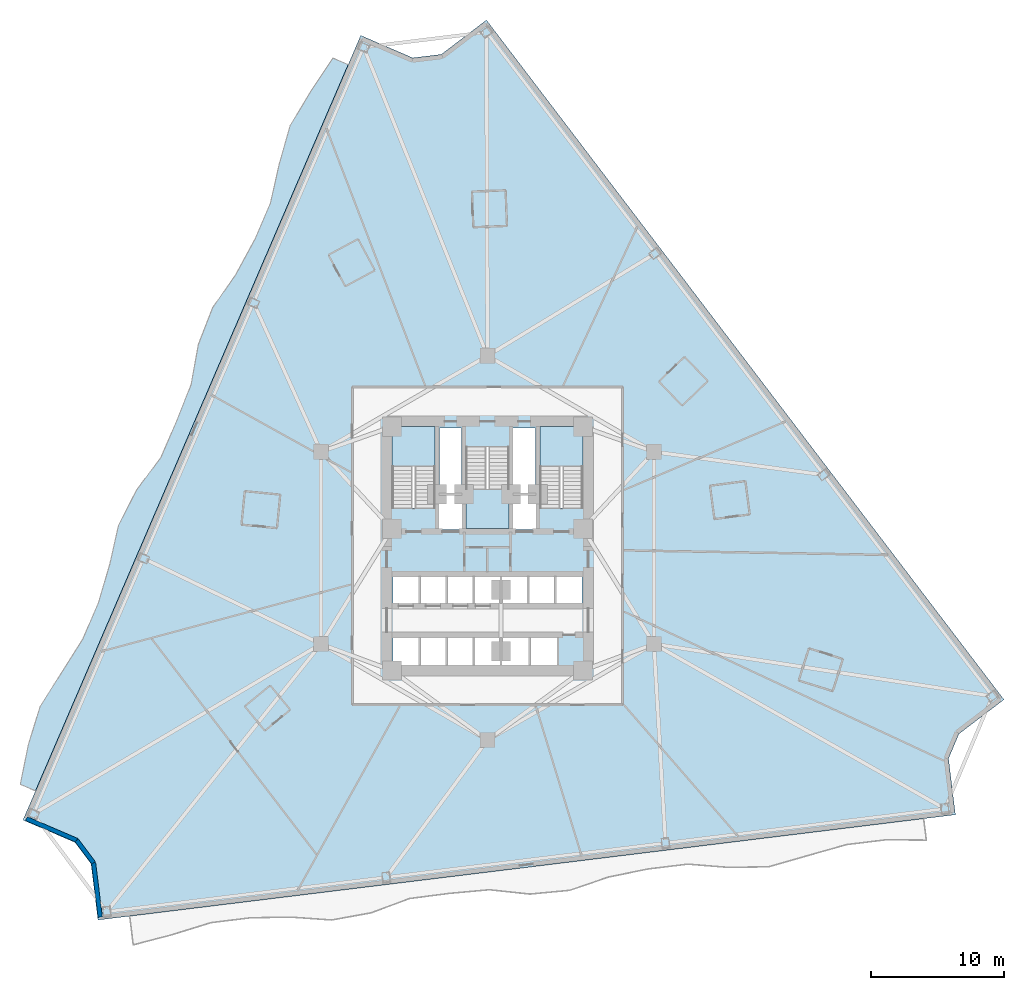
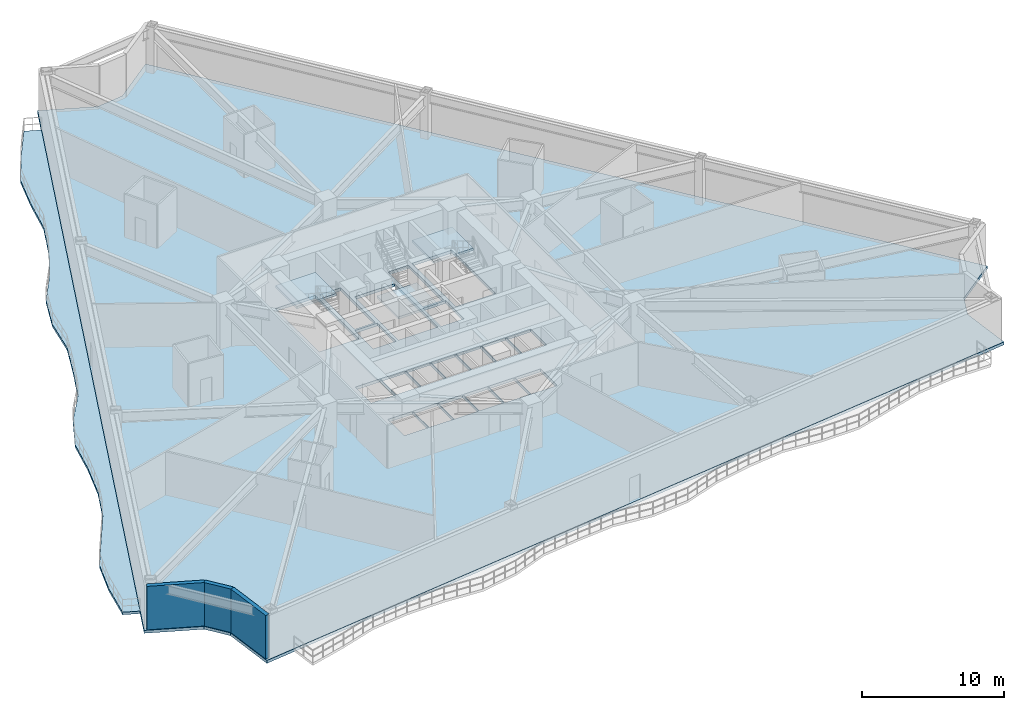
# One storey, part 2 of 12: 5 slabs, 3 walls, 3 elements without a shape of their own.
"""IFC4 building model written with IfcOpenShell, lengths in metres."""

from ifc_helpers import new_model, si_unit, direction, frame, frame_2d, origin, place, context, subcontext, project, spatial, polyline, rectangle, outline, extrude, material, layer, layer_set, type_object, element, aggregate, save


model = new_model("IFC4")

# Units and contexts
model_context = context("Model", 3, precision=1e-05, world=origin(), true_north=direction((0.0, 1.0)))
body_context = subcontext(model_context, "Body", "Model", "MODEL_VIEW")
ifc_project = project(units=[si_unit("LENGTHUNIT", "METRE"), si_unit("AREAUNIT", "SQUARE_METRE"), si_unit("VOLUMEUNIT", "CUBIC_METRE"), si_unit("PLANEANGLEUNIT", "RADIAN"), si_unit("MASSUNIT", "GRAM", prefix="KILO")], contexts=[model_context])

# Site, building, storey
site_placement = place(None, origin())
site = spatial("IfcSite", under=ifc_project, at=site_placement, CompositionType="ELEMENT")
building_placement = place(site_placement, origin())
building = spatial("IfcBuilding", under=site, at=building_placement, Name="Apsidion Concourse Tower", CompositionType="ELEMENT")
storey_placement = place(building_placement, frame((0.0, 0.0, 71.0)))
storey = spatial("IfcBuildingStorey", under=building, at=storey_placement, Name="L15", CompositionType="ELEMENT", Elevation=71.0)

# Slabs
ifc_material_1 = material(Name="Concrete C50/60", Category="concrete")
ifc_layer_1 = layer(ifc_material_1, 0.219970703125)
ifc_layer_set_1 = layer_set([ifc_layer_1], Name="Concrete C50/60")
slab_type_1 = type_object("IfcSlabType", Name="SL-BAL-220", PredefinedType="FLOOR", material=ifc_layer_set_1)
slab_1_placement = place(storey_placement, frame((0.0, 0.0, -0.219970703125)))
element("IfcSlab", 1, at=slab_1_placement, inside=storey, type_object=slab_type_1, Name="L15 Face 1 Rippling Balcony Slab", PredefinedType="FLOOR", context=body_context, shape_type="SweptSolid", body=[
    extrude(outline(polyline([(-10.510986328125, 36.466796875), (-11.690673828125, 33.726806640625), (-12.8701171875, 30.987060546875), (-14.049560546875, 28.247314453125), (-15.22900390625, 25.50732421875), (-16.40869140625, 22.767578125), (-17.588134765625, 20.02783203125), (-18.767578125, 17.2880859375), (-19.947021484375, 14.548095703125), (-21.126708984375, 11.808349609375), (-22.30615234375, 9.068603515625), (-23.485595703125, 6.32861328125), (-24.6650390625, 3.5888671875), (-25.844482421875, 0.84912109375), (-27.024169921875, -1.890869140625), (-28.20361328125, -4.630615234375), (-29.383056640625, -7.370361328125), (-30.5625, -10.110107421875), (-31.7421875, -12.85009765625), (-32.921630859375, -15.58984375), (-34.10107421875, -18.32958984375), (-35.249267578125, -17.83544921875), (-34.64208984375, -14.84912109375), (-33.758544921875, -11.98193359375), (-32.150390625, -9.426513671875), (-30.53125, -6.876220703125), (-29.351806640625, -4.13623046875), (-28.503662109375, -1.25390625), (-27.837646484375, 1.70703125), (-26.4755859375, 4.368408203125), (-24.640869140625, 6.825927734375), (-23.4541015625, 9.562744140625), (-22.35546875, 12.33740234375), (-21.81494140625, 15.352294921875), (-20.7314453125, 18.13330078125), (-18.98779296875, 20.63037109375), (-17.556640625, 23.261962890625), (-16.377197265625, 26.001708984375), (-15.712890625, 28.963134765625), (-14.890869140625, 31.85693359375), (-13.339111328125, 34.4365234375), (-11.6591796875, 36.9609375), (-10.510986328125, 36.466796875)])), origin(), (0.0, 0.0, 1.0), 0.219970703125),
])
ifc_layer_2 = layer(ifc_material_1, 0.25)
ifc_layer_set_2 = layer_set([ifc_layer_2], Name="Concrete C50/60")
slab_type_2 = type_object("IfcSlabType", Name="SL-FLR-250", PredefinedType="FLOOR", material=ifc_layer_set_2)
slab_2_placement = place(storey_placement, frame((0.0, 0.0, -0.25)))
element("IfcSlab", 2, at=slab_2_placement, inside=storey, type_object=slab_type_2, Name="L15 Structural Floor Slab", PredefinedType="FLOOR", context=body_context, shape_type="SweptSolid", body=[
    extrude(outline(polyline([(-0.077392578125, 39.835693359375), (-3.478271484375, 37.24560546875), (-5.6357421875, 36.980712890625), (-9.56201171875, 38.671142578125), (-35.050048828125, -20.5341796875), (-31.123779296875, -22.224365234375), (-29.914794921875, -23.83740234375), (-29.393798828125, -28.080078125), (35.313720703125, -20.13525390625), (34.792724609375, -15.89208984375), (35.57568359375, -14.03466796875), (38.9765625, -11.444580078125), (-0.077392578125, 39.835693359375)]), holes=[polyline([(-3.949951171875, 3.0), (-3.949951171875, 9.14990234375), (-7.199951171875, 9.14990234375), (-7.199951171875, 3.0), (-3.949951171875, 3.0)]), polyline([(7.199951171875, 3.0), (7.199951171875, 9.14990234375), (3.949951171875, 9.14990234375), (3.949951171875, 3.0), (7.199951171875, 3.0)]), polyline([(-1.625, 7.60009765625), (-1.625, 1.449951171875), (1.625, 1.449951171875), (1.625, 7.60009765625), (-1.625, 7.60009765625)]), polyline([(-7.14501953125, -4.300048828125), (-5.155029296875, -4.300048828125), (-5.155029296875, -2.050048828125), (-7.14501953125, -2.050048828125), (-7.14501953125, -4.300048828125)]), polyline([(-5.094970703125, -4.300048828125), (-3.10498046875, -4.300048828125), (-3.10498046875, -2.050048828125), (-5.094970703125, -2.050048828125), (-5.094970703125, -4.300048828125)]), polyline([(-3.044921875, -4.300048828125), (-1.054931640625, -4.300048828125), (-1.054931640625, -2.050048828125), (-3.044921875, -2.050048828125), (-3.044921875, -4.300048828125)]), polyline([(-0.9951171875, -4.300048828125), (0.9951171875, -4.300048828125), (0.9951171875, -2.050048828125), (-0.9951171875, -2.050048828125), (-0.9951171875, -4.300048828125)]), polyline([(1.054931640625, -4.300048828125), (3.044921875, -4.300048828125), (3.044921875, -2.050048828125), (1.054931640625, -2.050048828125), (1.054931640625, -4.300048828125)]), polyline([(3.10498046875, -4.300048828125), (5.094970703125, -4.300048828125), (5.094970703125, -2.050048828125), (3.10498046875, -2.050048828125), (3.10498046875, -4.300048828125)]), polyline([(5.155029296875, -4.300048828125), (7.14501953125, -4.300048828125), (7.14501953125, -2.050048828125), (5.155029296875, -2.050048828125), (5.155029296875, -4.300048828125)]), polyline([(-7.14501953125, -8.949951171875), (-5.155029296875, -8.949951171875), (-5.155029296875, -6.64990234375), (-7.14501953125, -6.64990234375), (-7.14501953125, -8.949951171875)]), polyline([(-5.094970703125, -8.949951171875), (-3.10498046875, -8.949951171875), (-3.10498046875, -6.64990234375), (-5.094970703125, -6.64990234375), (-5.094970703125, -8.949951171875)]), polyline([(-3.044921875, -8.949951171875), (-1.054931640625, -8.949951171875), (-1.054931640625, -6.64990234375), (-3.044921875, -6.64990234375), (-3.044921875, -8.949951171875)]), polyline([(-0.9951171875, -8.949951171875), (0.9951171875, -8.949951171875), (0.9951171875, -6.64990234375), (-0.9951171875, -6.64990234375), (-0.9951171875, -8.949951171875)]), polyline([(1.044921875, -9.0), (3.155029296875, -9.0), (3.155029296875, -6.64990234375), (1.044921875, -6.64990234375), (1.044921875, -9.0)]), polyline([(3.195068359375, -9.0), (5.304931640625, -9.0), (5.304931640625, -6.64990234375), (3.195068359375, -6.64990234375), (3.195068359375, -9.0)]), polyline([(-3.7099609375, 1.39990234375), (-1.85009765625, 1.39990234375), (-1.85009765625, 4.0), (-3.7099609375, 4.0), (-3.7099609375, 1.39990234375)]), polyline([(1.85009765625, 1.39990234375), (3.7099609375, 1.39990234375), (3.7099609375, 4.0), (1.85009765625, 4.0), (1.85009765625, 1.39990234375)]), polyline([(-3.6201171875, 4.14990234375), (-1.93994140625, 4.14990234375), (-1.93994140625, 9.050048828125), (-3.6201171875, 9.050048828125), (-3.6201171875, 4.14990234375)]), polyline([(1.93994140625, 4.14990234375), (3.6201171875, 4.14990234375), (3.6201171875, 9.050048828125), (1.93994140625, 9.050048828125), (1.93994140625, 4.14990234375)])]), origin(), (0.0, 0.0, 1.0), 0.25),
])

# Stair, slab
ifc_material_2 = material(Name="Precast concrete C40/50", Category="concrete")
stair_type = type_object("IfcStairType", Name="ST-DL-1550", PredefinedType="HALF_TURN_STAIR", material=ifc_material_2)
stair_1_placement = place(storey_placement, origin())
stair_1 = element("IfcStair", 3, at=stair_1_placement, inside=storey, type_object=stair_type, Name="L15 Protected Core Exit Stair ST1", PredefinedType="HALF_TURN_STAIR")
ifc_layer_3 = layer(ifc_material_1, 0.199951171875)
ifc_layer_set_3 = layer_set([ifc_layer_3], Name="Concrete C50/60")
slab_type_3 = type_object("IfcSlabType", Name="SL-ST-LAND-200", PredefinedType="LANDING", material=ifc_layer_set_3)
slab_3_placement = place(storey_placement, frame((0.0, 0.0, 1.800048828125)))
slab_3 = element("IfcSlab", 4, at=slab_3_placement, type_object=slab_type_3, Name="ST1 landing 1", PredefinedType="LANDING", context=body_context, shape_type="SweptSolid", body=[
    extrude(outline(polyline([(-3.949951171875, 6.135009765625), (-3.949951171875, 9.14990234375), (-7.199951171875, 9.14990234375), (-7.199951171875, 6.135009765625), (-3.949951171875, 6.135009765625)])), origin(), (0.0, 0.0, 1.0), 0.199951171875),
])
aggregate(stair_1, [slab_3])

stair_2_placement = place(storey_placement, origin())
stair_2 = element("IfcStair", 5, at=stair_2_placement, inside=storey, type_object=stair_type, Name="L15 Protected Core Exit Stair ST2", PredefinedType="HALF_TURN_STAIR")
slab_4_placement = place(storey_placement, frame((0.0, 0.0, 1.800048828125)))
slab_4 = element("IfcSlab", 6, at=slab_4_placement, type_object=slab_type_3, Name="ST2 landing 1", PredefinedType="LANDING", context=body_context, shape_type="SweptSolid", body=[
    extrude(outline(polyline([(7.199951171875, 6.135009765625), (7.199951171875, 9.14990234375), (3.949951171875, 9.14990234375), (3.949951171875, 6.135009765625), (7.199951171875, 6.135009765625)])), origin(), (0.0, 0.0, 1.0), 0.199951171875),
])
aggregate(stair_2, [slab_4])

stair_3_placement = place(storey_placement, origin())
stair_3 = element("IfcStair", 7, at=stair_3_placement, inside=storey, type_object=stair_type, Name="L15 Protected Core Exit Stair ST3", PredefinedType="HALF_TURN_STAIR")
slab_5_placement = place(storey_placement, frame((0.0, 0.0, 1.800048828125)))
slab_5 = element("IfcSlab", 8, at=slab_5_placement, type_object=slab_type_3, Name="ST3 landing 1", PredefinedType="LANDING", context=body_context, shape_type="SweptSolid", body=[
    extrude(outline(polyline([(-1.625, 4.465087890625), (-1.625, 1.449951171875), (1.625, 1.449951171875), (1.625, 4.465087890625), (-1.625, 4.465087890625)])), origin(), (0.0, 0.0, 1.0), 0.199951171875),
])
aggregate(stair_3, [slab_5])

# Walls
ifc_layer_4 = layer(ifc_material_2, 0.320068359375)
ifc_layer_set_4 = layer_set([ifc_layer_4], Name="Precast concrete C40/50")
wall_type = type_object("IfcWallType", Name="WL-EXT-320", PredefinedType="STANDARD", material=ifc_layer_set_4)
wall_1_placement = place(storey_placement, frame((-29.219482421875, -27.857421875, 0.0), z_axis=(0.0, 0.0, 1.0), x_axis=(-0.121887213021, 0.992543957365, 0.0)))
element("IfcWall", 9, at=wall_1_placement, inside=storey, type_object=wall_type, Name="L15 Precast Stone Facade Wall 06", PredefinedType="STANDARD", context=body_context, shape_type="SweptSolid", body=[
    extrude(rectangle(XDim=4.128173828125, YDim=0.320068359375, at=frame_2d((2.06396484375, 0.0))), origin(), (0.0, 0.0, 1.0), 3.75),
])
wall_2_placement = place(storey_placement, frame((-29.72265625, -23.760009765625, 0.0), z_axis=(0.0, 0.0, 1.0), x_axis=(-0.59977911486, 0.800165616218, 0.0)))
element("IfcWall", 10, at=wall_2_placement, inside=storey, type_object=wall_type, Name="L15 Precast Stone Facade Wall 07", PredefinedType="STANDARD", context=body_context, shape_type="SweptSolid", body=[
    extrude(rectangle(XDim=2.122314453125, YDim=0.320068359375, at=frame_2d((1.06103515625, 0.0))), origin(), (0.0, 0.0, 1.0), 3.75),
])
wall_3_placement = place(storey_placement, frame((-30.99560546875, -22.061767578125, 0.0), z_axis=(0.0, 0.0, 1.0), x_axis=(-0.918504494871, 0.395410537165, 0.0)))
element("IfcWall", 11, at=wall_3_placement, inside=storey, type_object=wall_type, Name="L15 Precast Stone Facade Wall 08", PredefinedType="STANDARD", context=body_context, shape_type="SweptSolid", body=[
    extrude(rectangle(XDim=4.128173828125, YDim=0.320068359375, at=frame_2d((2.06396484375, 0.0))), origin(), (0.0, 0.0, 1.0), 3.75),
])

save(model, "model.ifc")
